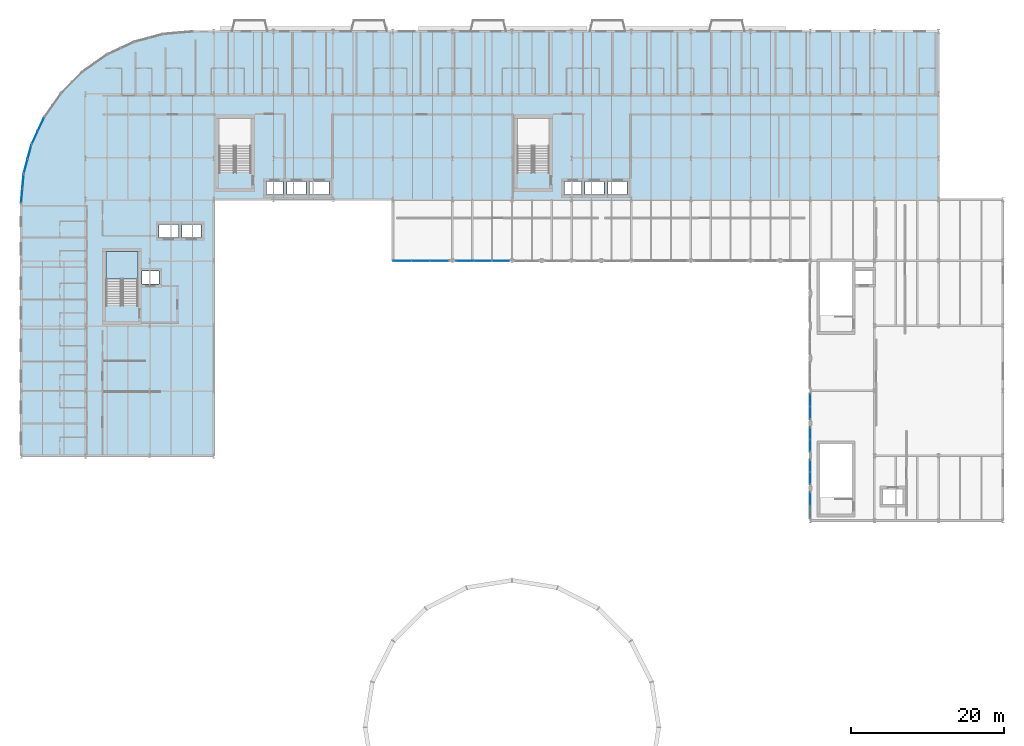
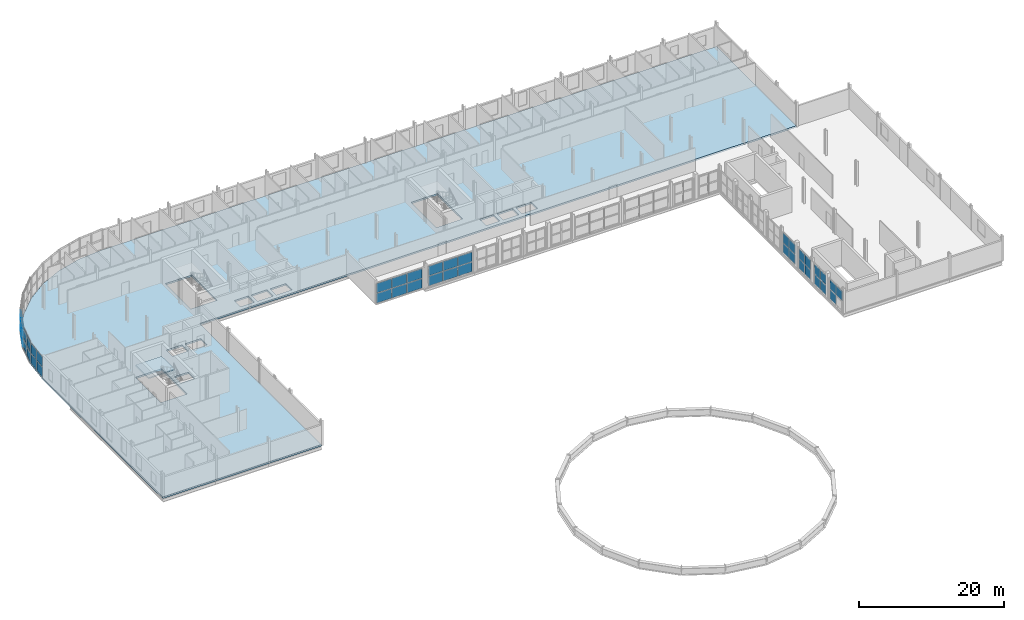
# One storey, part 22 of 45: 39 plates, 2 slabs, 10 elements without a shape of their own.
"""IFC4 building model written with IfcOpenShell, lengths in metres."""

from ifc_helpers import new_model, si_unit, direction, frame, origin, origin_2d, place, context, subcontext, project, spatial, polyline, rectangle, outline, extrude, material, layer, layer_set, type_object, element, aggregate, save


model = new_model("IFC4")

# Units and contexts
model_context = context("Model", 3, precision=1e-05, world=origin(), true_north=direction((0.0, 1.0)))
body_context = subcontext(model_context, "Body", "Model", "MODEL_VIEW")
ifc_project = project(units=[si_unit("LENGTHUNIT", "METRE"), si_unit("AREAUNIT", "SQUARE_METRE"), si_unit("VOLUMEUNIT", "CUBIC_METRE"), si_unit("PLANEANGLEUNIT", "RADIAN"), si_unit("MASSUNIT", "GRAM", prefix="KILO")], contexts=[model_context])

# Site, building, storey
site_placement = place(None, origin())
site = spatial("IfcSite", under=ifc_project, at=site_placement, CompositionType="ELEMENT")
building_placement = place(site_placement, origin())
building = spatial("IfcBuilding", under=site, at=building_placement, Name="Sefraquen Railside Congress Hotel", CompositionType="ELEMENT")
storey_placement = place(building_placement, frame((0.0, 0.0, 20.39990234375)))
storey = spatial("IfcBuildingStorey", under=building, at=storey_placement, Name="L04", CompositionType="ELEMENT", Elevation=20.39990234375)

# Curtain wall, plates
ifc_material_1 = material(Name="Thermally broken anodised aluminium and low-E double glazing", Category="aluminium")
ifc_layer_1 = layer(ifc_material_1, 0.199951171875)
ifc_layer_set_1 = layer_set([ifc_layer_1], Name="Thermally broken anodised aluminium and low-E double glazing")
curtain_wall_type_1 = type_object("IfcCurtainWallType", Name="TCW-UCW-05", PredefinedType="USERDEFINED", material=ifc_layer_set_1)
curtain_wall_1_placement = place(storey_placement, origin())
curtain_wall_1 = element("IfcCurtainWall", 1, at=curtain_wall_1_placement, inside=storey, type_object=curtain_wall_type_1, Name="Meeting Wing L04 courtyard north curtain wall 1", ObjectType="UNITISED CURTAIN WALL", PredefinedType="USERDEFINED")
ifc_material_2 = material(Name="Solar-control low-E double glazing", Category="glass")
ifc_layer_2 = layer(ifc_material_2, 0.02392578125)
ifc_layer_set_2 = layer_set([ifc_layer_2], Name="Solar-control low-E double glazing")
plate_type_1 = type_object("IfcPlateType", Name="TP-CWP-01", PredefinedType="CURTAIN_PANEL", material=ifc_layer_set_2)
plate_1_placement = place(storey_placement, frame((49.853271484375, 88.0, 0.0400390625), z_axis=(0.0, 0.0, 1.0), x_axis=(1.0, 0.0, 0.0)))
plate_1 = element("IfcPlate", 2, at=plate_1_placement, type_object=plate_type_1, Name="CW-L04-069 panel 1.1", PredefinedType="CURTAIN_PANEL", context=body_context, shape_type="SweptSolid", body=[
    extrude(rectangle(XDim=2.336669921875, YDim=0.02392578125, at=origin_2d()), origin(), (0.0, 0.0, 1.0), 1.614990234375),
])
plate_2_placement = place(storey_placement, frame((52.280029296875, 88.0, 0.0400390625), z_axis=(0.0, 0.0, 1.0), x_axis=(1.0, 0.0, 0.0)))
plate_2 = element("IfcPlate", 3, at=plate_2_placement, type_object=plate_type_1, Name="CW-L04-069 panel 1.2", PredefinedType="CURTAIN_PANEL", context=body_context, shape_type="SweptSolid", body=[
    extrude(rectangle(XDim=2.336669921875, YDim=0.02392578125, at=origin_2d()), origin(), (0.0, 0.0, 1.0), 1.614990234375),
])
plate_3_placement = place(storey_placement, frame((54.706787109375, 88.0, 0.0400390625), z_axis=(0.0, 0.0, 1.0), x_axis=(1.0, 0.0, 0.0)))
plate_3 = element("IfcPlate", 4, at=plate_3_placement, type_object=plate_type_1, Name="CW-L04-069 panel 1.3", PredefinedType="CURTAIN_PANEL", context=body_context, shape_type="SweptSolid", body=[
    extrude(rectangle(XDim=2.336669921875, YDim=0.02392578125, at=origin_2d()), origin(), (0.0, 0.0, 1.0), 1.614990234375),
])

curtain_wall_2_placement = place(storey_placement, origin())
curtain_wall_2 = element("IfcCurtainWall", 5, at=curtain_wall_2_placement, inside=storey, type_object=curtain_wall_type_1, Name="Meeting Wing L04 courtyard north curtain wall 1 bay 2", ObjectType="UNITISED CURTAIN WALL", PredefinedType="USERDEFINED")
plate_4_placement = place(storey_placement, frame((58.04833984375, 88.0, 0.0400390625), z_axis=(0.0, 0.0, 1.0), x_axis=(1.0, 0.0, 0.0)))
plate_4 = element("IfcPlate", 6, at=plate_4_placement, type_object=plate_type_1, Name="CW-L04-069-S2 panel 1.1", PredefinedType="CURTAIN_PANEL", context=body_context, shape_type="SweptSolid", body=[
    extrude(rectangle(XDim=2.24658203125, YDim=0.02392578125, at=origin_2d()), origin(), (0.0, 0.0, 1.0), 1.614990234375),
])
plate_5_placement = place(storey_placement, frame((60.385009765625, 88.0, 0.0400390625), z_axis=(0.0, 0.0, 1.0), x_axis=(1.0, 0.0, 0.0)))
plate_5 = element("IfcPlate", 7, at=plate_5_placement, type_object=plate_type_1, Name="CW-L04-069-S2 panel 1.2", PredefinedType="CURTAIN_PANEL", context=body_context, shape_type="SweptSolid", body=[
    extrude(rectangle(XDim=2.24658203125, YDim=0.02392578125, at=origin_2d()), origin(), (0.0, 0.0, 1.0), 1.614990234375),
])
plate_6_placement = place(storey_placement, frame((62.7216796875, 88.0, 0.0400390625), z_axis=(0.0, 0.0, 1.0), x_axis=(1.0, 0.0, 0.0)))
plate_6 = element("IfcPlate", 8, at=plate_6_placement, type_object=plate_type_1, Name="CW-L04-069-S2 panel 1.3", PredefinedType="CURTAIN_PANEL", context=body_context, shape_type="SweptSolid", body=[
    extrude(rectangle(XDim=2.24658203125, YDim=0.02392578125, at=origin_2d()), origin(), (0.0, 0.0, 1.0), 1.614990234375),
])

# Curtain wall, plate
ifc_layer_3 = layer(ifc_material_1, 0.199951171875)
ifc_layer_set_3 = layer_set([ifc_layer_3], Name="Thermally broken anodised aluminium and low-E double glazing")
curtain_wall_type_2 = type_object("IfcCurtainWallType", Name="TCW-UCW-08", PredefinedType="USERDEFINED", material=ifc_layer_set_3)
curtain_wall_3_placement = place(storey_placement, origin())
curtain_wall_3 = element("IfcCurtainWall", 9, at=curtain_wall_3_placement, inside=storey, type_object=curtain_wall_type_2, Name="Meeting Wing L04 courtyard east curtain wall", ObjectType="UNITISED CURTAIN WALL", PredefinedType="USERDEFINED")
plate_7_placement = place(storey_placement, frame((103.199951171875, 56.905029296875, 0.0400390625), z_axis=(0.0, 0.0, 1.0), x_axis=(0.0, 1.0, 0.0)))
plate_7 = element("IfcPlate", 10, at=plate_7_placement, type_object=plate_type_1, Name="CW-L04-072 panel 1.2", PredefinedType="CURTAIN_PANEL", context=body_context, shape_type="SweptSolid", body=[
    extrude(rectangle(XDim=1.639892578125, YDim=0.02392578125, at=origin_2d()), origin(), (0.0, 0.0, 1.0), 1.614990234375),
])

# Curtain wall, plates
curtain_wall_4_placement = place(storey_placement, origin())
curtain_wall_4 = element("IfcCurtainWall", 11, at=curtain_wall_4_placement, inside=storey, type_object=curtain_wall_type_2, Name="Meeting Wing L04 courtyard east curtain wall bay 2", ObjectType="UNITISED CURTAIN WALL", PredefinedType="USERDEFINED")
plate_8_placement = place(storey_placement, frame((103.199951171875, 59.552490234375, 0.0400390625), z_axis=(0.0, 0.0, 1.0), x_axis=(0.0, 1.0, 0.0)))
plate_8 = element("IfcPlate", 12, at=plate_8_placement, type_object=plate_type_1, Name="CW-L04-072-S2 panel 1.1", PredefinedType="CURTAIN_PANEL", context=body_context, shape_type="SweptSolid", body=[
    extrude(rectangle(XDim=1.554931640625, YDim=0.02392578125, at=origin_2d()), origin(), (0.0, 0.0, 1.0), 1.614990234375),
])
plate_9_placement = place(storey_placement, frame((103.199951171875, 61.197509765625, 0.0400390625), z_axis=(0.0, 0.0, 1.0), x_axis=(0.0, 1.0, 0.0)))
plate_9 = element("IfcPlate", 13, at=plate_9_placement, type_object=plate_type_1, Name="CW-L04-072-S2 panel 1.2", PredefinedType="CURTAIN_PANEL", context=body_context, shape_type="SweptSolid", body=[
    extrude(rectangle(XDim=1.554931640625, YDim=0.02392578125, at=origin_2d()), origin(), (0.0, 0.0, 1.0), 1.614990234375),
])

curtain_wall_5_placement = place(storey_placement, origin())
curtain_wall_5 = element("IfcCurtainWall", 14, at=curtain_wall_5_placement, inside=storey, type_object=curtain_wall_type_2, Name="Meeting Wing L04 courtyard east curtain wall bay 3", ObjectType="UNITISED CURTAIN WALL", PredefinedType="USERDEFINED")
plate_10_placement = place(storey_placement, frame((103.199951171875, 63.802490234375, 0.0400390625), z_axis=(0.0, 0.0, 1.0), x_axis=(0.0, 1.0, 0.0)))
plate_10 = element("IfcPlate", 15, at=plate_10_placement, type_object=plate_type_1, Name="CW-L04-072-S3 panel 1.1", PredefinedType="CURTAIN_PANEL", context=body_context, shape_type="SweptSolid", body=[
    extrude(rectangle(XDim=1.554931640625, YDim=0.02392578125, at=origin_2d()), origin(), (0.0, 0.0, 1.0), 1.614990234375),
])
plate_11_placement = place(storey_placement, frame((103.199951171875, 65.447509765625, 0.0400390625), z_axis=(0.0, 0.0, 1.0), x_axis=(0.0, 1.0, 0.0)))
plate_11 = element("IfcPlate", 16, at=plate_11_placement, type_object=plate_type_1, Name="CW-L04-072-S3 panel 1.2", PredefinedType="CURTAIN_PANEL", context=body_context, shape_type="SweptSolid", body=[
    extrude(rectangle(XDim=1.554931640625, YDim=0.02392578125, at=origin_2d()), origin(), (0.0, 0.0, 1.0), 1.614990234375),
])

curtain_wall_6_placement = place(storey_placement, origin())
curtain_wall_6 = element("IfcCurtainWall", 17, at=curtain_wall_6_placement, inside=storey, type_object=curtain_wall_type_2, Name="Meeting Wing L04 courtyard east curtain wall bay 4", ObjectType="UNITISED CURTAIN WALL", PredefinedType="USERDEFINED")
plate_12_placement = place(storey_placement, frame((103.199951171875, 68.094970703125, 0.0400390625), z_axis=(0.0, 0.0, 1.0), x_axis=(0.0, 1.0, 0.0)))
plate_12 = element("IfcPlate", 18, at=plate_12_placement, type_object=plate_type_1, Name="CW-L04-072-S4 panel 1.1", PredefinedType="CURTAIN_PANEL", context=body_context, shape_type="SweptSolid", body=[
    extrude(rectangle(XDim=1.639892578125, YDim=0.02392578125, at=origin_2d()), origin(), (0.0, 0.0, 1.0), 1.614990234375),
])
plate_13_placement = place(storey_placement, frame((103.199951171875, 69.824951171875, 0.0400390625), z_axis=(0.0, 0.0, 1.0), x_axis=(0.0, 1.0, 0.0)))
plate_13 = element("IfcPlate", 19, at=plate_13_placement, type_object=plate_type_1, Name="CW-L04-072-S4 panel 1.2", PredefinedType="CURTAIN_PANEL", context=body_context, shape_type="SweptSolid", body=[
    extrude(rectangle(XDim=1.639892578125, YDim=0.02392578125, at=origin_2d()), origin(), (0.0, 0.0, 1.0), 1.614990234375),
])

ifc_layer_4 = layer(ifc_material_1, 0.199951171875)
ifc_layer_set_4 = layer_set([ifc_layer_4], Name="Thermally broken anodised aluminium and low-E double glazing")
curtain_wall_type_3 = type_object("IfcCurtainWallType", Name="TCW-UCW-11", PredefinedType="USERDEFINED", material=ifc_layer_set_4)
curtain_wall_7_placement = place(storey_placement, origin())
curtain_wall_7 = element("IfcCurtainWall", 20, at=curtain_wall_7_placement, inside=storey, type_object=curtain_wall_type_3, Name="Rotunda L04 curved curtain wall facet 7", ObjectType="UNITISED CURTAIN WALL", PredefinedType="USERDEFINED")
plate_14_placement = place(storey_placement, frame((2.591552734375, 105.84326171875, 0.0400390625), z_axis=(0.0, 0.0, 1.0), x_axis=(-0.422634079731, -0.906300410818, 0.0)))
plate_14 = element("IfcPlate", 21, at=plate_14_placement, type_object=plate_type_1, Name="CW-L04-ROT-07 panel 1.1", PredefinedType="CURTAIN_PANEL", context=body_context, shape_type="SweptSolid", body=[
    extrude(rectangle(XDim=1.830810546875, YDim=0.02392578125, at=origin_2d()), origin(), (0.0, 0.0, 1.0), 1.6650390625),
])
plate_15_placement = place(storey_placement, frame((1.77978515625, 104.102294921875, 0.0400390625), z_axis=(0.0, 0.0, 1.0), x_axis=(-0.422634079731, -0.906300410818, 0.0)))
plate_15 = element("IfcPlate", 22, at=plate_15_placement, type_object=plate_type_1, Name="CW-L04-ROT-07 panel 1.2", PredefinedType="CURTAIN_PANEL", context=body_context, shape_type="SweptSolid", body=[
    extrude(rectangle(XDim=1.830810546875, YDim=0.02392578125, at=origin_2d()), origin(), (0.0, 0.0, 1.0), 1.6650390625),
])

ifc_layer_5 = layer(ifc_material_1, 0.199951171875)
ifc_layer_set_5 = layer_set([ifc_layer_5], Name="Thermally broken anodised aluminium and low-E double glazing")
curtain_wall_type_4 = type_object("IfcCurtainWallType", Name="TCW-UCW-12", PredefinedType="USERDEFINED", material=ifc_layer_set_5)
curtain_wall_8_placement = place(storey_placement, origin())
curtain_wall_8 = element("IfcCurtainWall", 23, at=curtain_wall_8_placement, inside=storey, type_object=curtain_wall_type_4, Name="Rotunda L04 curved curtain wall facet 8", ObjectType="UNITISED CURTAIN WALL", PredefinedType="USERDEFINED")
plate_16_placement = place(storey_placement, frame((1.097900390625, 102.22900390625, 0.0400390625), z_axis=(0.0, 0.0, 1.0), x_axis=(-0.258785327773, -0.96593486019, 0.0)))
plate_16 = element("IfcPlate", 24, at=plate_16_placement, type_object=plate_type_1, Name="CW-L04-ROT-08 panel 1.1", PredefinedType="CURTAIN_PANEL", context=body_context, shape_type="SweptSolid", body=[
    extrude(rectangle(XDim=1.8310546875, YDim=0.02392578125, at=origin_2d()), origin(), (0.0, 0.0, 1.0), 1.6650390625),
])
plate_17_placement = place(storey_placement, frame((0.6005859375, 100.37353515625, 0.0400390625), z_axis=(0.0, 0.0, 1.0), x_axis=(-0.258785327773, -0.96593486019, 0.0)))
plate_17 = element("IfcPlate", 25, at=plate_17_placement, type_object=plate_type_1, Name="CW-L04-ROT-08 panel 1.2", PredefinedType="CURTAIN_PANEL", context=body_context, shape_type="SweptSolid", body=[
    extrude(rectangle(XDim=1.8310546875, YDim=0.02392578125, at=origin_2d()), origin(), (0.0, 0.0, 1.0), 1.6650390625),
])

ifc_layer_6 = layer(ifc_material_1, 0.199951171875)
ifc_layer_set_6 = layer_set([ifc_layer_6], Name="Thermally broken anodised aluminium and low-E double glazing")
curtain_wall_type_5 = type_object("IfcCurtainWallType", Name="TCW-UCW-13", PredefinedType="USERDEFINED", material=ifc_layer_set_6)
curtain_wall_9_placement = place(storey_placement, origin())
curtain_wall_9 = element("IfcCurtainWall", 26, at=curtain_wall_9_placement, inside=storey, type_object=curtain_wall_type_5, Name="Rotunda L04 curved curtain wall facet 9", ObjectType="UNITISED CURTAIN WALL", PredefinedType="USERDEFINED")
plate_18_placement = place(storey_placement, frame((0.254638671875, 98.410400390625, 0.0400390625), z_axis=(0.0, 0.0, 1.0), x_axis=(-0.087138355857, -0.996196219095, 0.0)))
plate_18 = element("IfcPlate", 27, at=plate_18_placement, type_object=plate_type_1, Name="CW-L04-ROT-09 panel 1.1", PredefinedType="CURTAIN_PANEL", context=body_context, shape_type="SweptSolid", body=[
    extrude(rectangle(XDim=1.8310546875, YDim=0.02392578125, at=origin_2d()), origin(), (0.0, 0.0, 1.0), 1.6650390625),
])
plate_19_placement = place(storey_placement, frame((0.087158203125, 96.49658203125, 0.0400390625), z_axis=(0.0, 0.0, 1.0), x_axis=(-0.087138355857, -0.996196219095, 0.0)))
plate_19 = element("IfcPlate", 28, at=plate_19_placement, type_object=plate_type_1, Name="CW-L04-ROT-09 panel 1.2", PredefinedType="CURTAIN_PANEL", context=body_context, shape_type="SweptSolid", body=[
    extrude(rectangle(XDim=1.8310546875, YDim=0.02392578125, at=origin_2d()), origin(), (0.0, 0.0, 1.0), 1.6650390625),
])

# Plate
ifc_material_3 = material(Name="Triple acoustic solar-control glazing", Category="glass")
ifc_layer_7 = layer(ifc_material_3, 0.031982421875)
ifc_layer_set_7 = layer_set([ifc_layer_7], Name="Triple acoustic solar-control glazing")
plate_type_2 = type_object("IfcPlateType", Name="TP-CWP-02", PredefinedType="CURTAIN_PANEL", material=ifc_layer_set_7)
plate_20_placement = place(storey_placement, frame((49.853271484375, 88.0, 1.73486328125), z_axis=(0.0, 0.0, 1.0), x_axis=(1.0, 0.0, 0.0)))
plate_20 = element("IfcPlate", 29, at=plate_20_placement, type_object=plate_type_2, Name="CW-L04-069 panel 2.1", PredefinedType="CURTAIN_PANEL", context=body_context, shape_type="SweptSolid", body=[
    extrude(rectangle(XDim=2.336669921875, YDim=0.031982421875, at=origin_2d()), origin(), (0.0, 0.0, 1.0), 1.614990234375),
])

plate_21_placement = place(storey_placement, frame((52.280029296875, 88.0, 1.73486328125), z_axis=(0.0, 0.0, 1.0), x_axis=(1.0, 0.0, 0.0)))
plate_21 = element("IfcPlate", 30, at=plate_21_placement, type_object=plate_type_2, Name="CW-L04-069 panel 2.2", PredefinedType="CURTAIN_PANEL", context=body_context, shape_type="SweptSolid", body=[
    extrude(rectangle(XDim=2.336669921875, YDim=0.031982421875, at=origin_2d()), origin(), (0.0, 0.0, 1.0), 1.614990234375),
])

plate_22_placement = place(storey_placement, frame((54.706787109375, 88.0, 1.73486328125), z_axis=(0.0, 0.0, 1.0), x_axis=(1.0, 0.0, 0.0)))
plate_22 = element("IfcPlate", 31, at=plate_22_placement, type_object=plate_type_2, Name="CW-L04-069 panel 2.3", PredefinedType="CURTAIN_PANEL", context=body_context, shape_type="SweptSolid", body=[
    extrude(rectangle(XDim=2.336669921875, YDim=0.031982421875, at=origin_2d()), origin(), (0.0, 0.0, 1.0), 1.614990234375),
])

aggregate(curtain_wall_1, [plate_1, plate_2, plate_3, plate_20, plate_21, plate_22])

plate_23_placement = place(storey_placement, frame((58.04833984375, 88.0, 1.73486328125), z_axis=(0.0, 0.0, 1.0), x_axis=(1.0, 0.0, 0.0)))
plate_23 = element("IfcPlate", 32, at=plate_23_placement, type_object=plate_type_2, Name="CW-L04-069-S2 panel 2.1", PredefinedType="CURTAIN_PANEL", context=body_context, shape_type="SweptSolid", body=[
    extrude(rectangle(XDim=2.24658203125, YDim=0.031982421875, at=origin_2d()), origin(), (0.0, 0.0, 1.0), 1.614990234375),
])

plate_24_placement = place(storey_placement, frame((60.385009765625, 88.0, 1.73486328125), z_axis=(0.0, 0.0, 1.0), x_axis=(1.0, 0.0, 0.0)))
plate_24 = element("IfcPlate", 33, at=plate_24_placement, type_object=plate_type_2, Name="CW-L04-069-S2 panel 2.2", PredefinedType="CURTAIN_PANEL", context=body_context, shape_type="SweptSolid", body=[
    extrude(rectangle(XDim=2.24658203125, YDim=0.031982421875, at=origin_2d()), origin(), (0.0, 0.0, 1.0), 1.614990234375),
])

plate_25_placement = place(storey_placement, frame((62.7216796875, 88.0, 1.73486328125), z_axis=(0.0, 0.0, 1.0), x_axis=(1.0, 0.0, 0.0)))
plate_25 = element("IfcPlate", 34, at=plate_25_placement, type_object=plate_type_2, Name="CW-L04-069-S2 panel 2.3", PredefinedType="CURTAIN_PANEL", context=body_context, shape_type="SweptSolid", body=[
    extrude(rectangle(XDim=2.24658203125, YDim=0.031982421875, at=origin_2d()), origin(), (0.0, 0.0, 1.0), 1.614990234375),
])

aggregate(curtain_wall_2, [plate_4, plate_5, plate_6, plate_23, plate_24, plate_25])

plate_26_placement = place(storey_placement, frame((103.199951171875, 55.175048828125, 1.73486328125), z_axis=(0.0, 0.0, 1.0), x_axis=(0.0, 1.0, 0.0)))
plate_26 = element("IfcPlate", 35, at=plate_26_placement, type_object=plate_type_2, Name="CW-L04-072 panel 2.1", PredefinedType="CURTAIN_PANEL", context=body_context, shape_type="SweptSolid", body=[
    extrude(rectangle(XDim=1.639892578125, YDim=0.031982421875, at=origin_2d()), origin(), (0.0, 0.0, 1.0), 1.614990234375),
])

plate_27_placement = place(storey_placement, frame((103.199951171875, 56.905029296875, 1.73486328125), z_axis=(0.0, 0.0, 1.0), x_axis=(0.0, 1.0, 0.0)))
plate_27 = element("IfcPlate", 36, at=plate_27_placement, type_object=plate_type_2, Name="CW-L04-072 panel 2.2", PredefinedType="CURTAIN_PANEL", context=body_context, shape_type="SweptSolid", body=[
    extrude(rectangle(XDim=1.639892578125, YDim=0.031982421875, at=origin_2d()), origin(), (0.0, 0.0, 1.0), 1.614990234375),
])

aggregate(curtain_wall_3, [plate_7, plate_26, plate_27])

plate_28_placement = place(storey_placement, frame((103.199951171875, 59.552490234375, 1.73486328125), z_axis=(0.0, 0.0, 1.0), x_axis=(0.0, 1.0, 0.0)))
plate_28 = element("IfcPlate", 37, at=plate_28_placement, type_object=plate_type_2, Name="CW-L04-072-S2 panel 2.1", PredefinedType="CURTAIN_PANEL", context=body_context, shape_type="SweptSolid", body=[
    extrude(rectangle(XDim=1.554931640625, YDim=0.031982421875, at=origin_2d()), origin(), (0.0, 0.0, 1.0), 1.614990234375),
])

plate_29_placement = place(storey_placement, frame((103.199951171875, 61.197509765625, 1.73486328125), z_axis=(0.0, 0.0, 1.0), x_axis=(0.0, 1.0, 0.0)))
plate_29 = element("IfcPlate", 38, at=plate_29_placement, type_object=plate_type_2, Name="CW-L04-072-S2 panel 2.2", PredefinedType="CURTAIN_PANEL", context=body_context, shape_type="SweptSolid", body=[
    extrude(rectangle(XDim=1.554931640625, YDim=0.031982421875, at=origin_2d()), origin(), (0.0, 0.0, 1.0), 1.614990234375),
])

aggregate(curtain_wall_4, [plate_8, plate_9, plate_28, plate_29])

plate_30_placement = place(storey_placement, frame((103.199951171875, 63.802490234375, 1.73486328125), z_axis=(0.0, 0.0, 1.0), x_axis=(0.0, 1.0, 0.0)))
plate_30 = element("IfcPlate", 39, at=plate_30_placement, type_object=plate_type_2, Name="CW-L04-072-S3 panel 2.1", PredefinedType="CURTAIN_PANEL", context=body_context, shape_type="SweptSolid", body=[
    extrude(rectangle(XDim=1.554931640625, YDim=0.031982421875, at=origin_2d()), origin(), (0.0, 0.0, 1.0), 1.614990234375),
])

plate_31_placement = place(storey_placement, frame((103.199951171875, 65.447509765625, 1.73486328125), z_axis=(0.0, 0.0, 1.0), x_axis=(0.0, 1.0, 0.0)))
plate_31 = element("IfcPlate", 40, at=plate_31_placement, type_object=plate_type_2, Name="CW-L04-072-S3 panel 2.2", PredefinedType="CURTAIN_PANEL", context=body_context, shape_type="SweptSolid", body=[
    extrude(rectangle(XDim=1.554931640625, YDim=0.031982421875, at=origin_2d()), origin(), (0.0, 0.0, 1.0), 1.614990234375),
])

aggregate(curtain_wall_5, [plate_10, plate_11, plate_30, plate_31])

plate_32_placement = place(storey_placement, frame((103.199951171875, 68.094970703125, 1.73486328125), z_axis=(0.0, 0.0, 1.0), x_axis=(0.0, 1.0, 0.0)))
plate_32 = element("IfcPlate", 41, at=plate_32_placement, type_object=plate_type_2, Name="CW-L04-072-S4 panel 2.1", PredefinedType="CURTAIN_PANEL", context=body_context, shape_type="SweptSolid", body=[
    extrude(rectangle(XDim=1.639892578125, YDim=0.031982421875, at=origin_2d()), origin(), (0.0, 0.0, 1.0), 1.614990234375),
])

plate_33_placement = place(storey_placement, frame((103.199951171875, 69.824951171875, 1.73486328125), z_axis=(0.0, 0.0, 1.0), x_axis=(0.0, 1.0, 0.0)))
plate_33 = element("IfcPlate", 42, at=plate_33_placement, type_object=plate_type_2, Name="CW-L04-072-S4 panel 2.2", PredefinedType="CURTAIN_PANEL", context=body_context, shape_type="SweptSolid", body=[
    extrude(rectangle(XDim=1.639892578125, YDim=0.031982421875, at=origin_2d()), origin(), (0.0, 0.0, 1.0), 1.614990234375),
])

aggregate(curtain_wall_6, [plate_12, plate_13, plate_32, plate_33])

plate_34_placement = place(storey_placement, frame((2.591552734375, 105.84326171875, 1.78515625), z_axis=(0.0, 0.0, 1.0), x_axis=(-0.422634079731, -0.906300410818, 0.0)))
plate_34 = element("IfcPlate", 43, at=plate_34_placement, type_object=plate_type_2, Name="CW-L04-ROT-07 panel 2.1", PredefinedType="CURTAIN_PANEL", context=body_context, shape_type="SweptSolid", body=[
    extrude(rectangle(XDim=1.830810546875, YDim=0.031982421875, at=origin_2d()), origin(), (0.0, 0.0, 1.0), 1.6650390625),
])

plate_35_placement = place(storey_placement, frame((1.77978515625, 104.102294921875, 1.78515625), z_axis=(0.0, 0.0, 1.0), x_axis=(-0.422634079731, -0.906300410818, 0.0)))
plate_35 = element("IfcPlate", 44, at=plate_35_placement, type_object=plate_type_2, Name="CW-L04-ROT-07 panel 2.2", PredefinedType="CURTAIN_PANEL", context=body_context, shape_type="SweptSolid", body=[
    extrude(rectangle(XDim=1.830810546875, YDim=0.031982421875, at=origin_2d()), origin(), (0.0, 0.0, 1.0), 1.6650390625),
])

aggregate(curtain_wall_7, [plate_14, plate_15, plate_34, plate_35])

plate_36_placement = place(storey_placement, frame((1.097900390625, 102.22900390625, 1.78515625), z_axis=(0.0, 0.0, 1.0), x_axis=(-0.258785327773, -0.96593486019, 0.0)))
plate_36 = element("IfcPlate", 45, at=plate_36_placement, type_object=plate_type_2, Name="CW-L04-ROT-08 panel 2.1", PredefinedType="CURTAIN_PANEL", context=body_context, shape_type="SweptSolid", body=[
    extrude(rectangle(XDim=1.8310546875, YDim=0.031982421875, at=origin_2d()), origin(), (0.0, 0.0, 1.0), 1.6650390625),
])

plate_37_placement = place(storey_placement, frame((0.6005859375, 100.37353515625, 1.78515625), z_axis=(0.0, 0.0, 1.0), x_axis=(-0.258785327773, -0.96593486019, 0.0)))
plate_37 = element("IfcPlate", 46, at=plate_37_placement, type_object=plate_type_2, Name="CW-L04-ROT-08 panel 2.2", PredefinedType="CURTAIN_PANEL", context=body_context, shape_type="SweptSolid", body=[
    extrude(rectangle(XDim=1.8310546875, YDim=0.031982421875, at=origin_2d()), origin(), (0.0, 0.0, 1.0), 1.6650390625),
])

aggregate(curtain_wall_8, [plate_16, plate_17, plate_36, plate_37])

plate_38_placement = place(storey_placement, frame((0.254638671875, 98.410400390625, 1.78515625), z_axis=(0.0, 0.0, 1.0), x_axis=(-0.087138355857, -0.996196219095, 0.0)))
plate_38 = element("IfcPlate", 47, at=plate_38_placement, type_object=plate_type_2, Name="CW-L04-ROT-09 panel 2.1", PredefinedType="CURTAIN_PANEL", context=body_context, shape_type="SweptSolid", body=[
    extrude(rectangle(XDim=1.8310546875, YDim=0.031982421875, at=origin_2d()), origin(), (0.0, 0.0, 1.0), 1.6650390625),
])

plate_39_placement = place(storey_placement, frame((0.087158203125, 96.49658203125, 1.78515625), z_axis=(0.0, 0.0, 1.0), x_axis=(-0.087138355857, -0.996196219095, 0.0)))
plate_39 = element("IfcPlate", 48, at=plate_39_placement, type_object=plate_type_2, Name="CW-L04-ROT-09 panel 2.2", PredefinedType="CURTAIN_PANEL", context=body_context, shape_type="SweptSolid", body=[
    extrude(rectangle(XDim=1.8310546875, YDim=0.031982421875, at=origin_2d()), origin(), (0.0, 0.0, 1.0), 1.6650390625),
])

aggregate(curtain_wall_9, [plate_18, plate_19, plate_38, plate_39])

# Slab
ifc_material_4 = material(Name="Concrete C40/50", Category="concrete")
ifc_layer_8 = layer(ifc_material_4, 0.280029296875)
ifc_layer_set_8 = layer_set([ifc_layer_8], Name="Concrete C40/50")
slab_type_1 = type_object("IfcSlabType", Name="TS-FS-280", PredefinedType="FLOOR", material=ifc_layer_set_8)
slab_1_placement = place(storey_placement, frame((0.0, 0.0, -0.27978515625)))
element("IfcSlab", 49, at=slab_1_placement, inside=storey, type_object=slab_type_1, Name="Hotel Wing L04 guest floor slab", PredefinedType="FLOOR", context=body_context, shape_type="SweptSolid", body=[
    extrude(outline(polyline([(0.0, 62.5), (25.199951171875, 62.5), (25.199951171875, 96.0), (120.0, 96.0), (120.0, 118.0), (22.5, 118.0), (18.593017578125, 117.658203125), (14.804443359375, 116.64306640625), (11.25, 114.985595703125), (8.037353515625, 112.736083984375), (5.263916015625, 109.962646484375), (3.014404296875, 106.75), (1.35693359375, 103.195556640625), (0.341796875, 99.406982421875), (0.0, 95.5), (0.0, 62.5)]), holes=[polyline([(11.10009765625, 82.219970703125), (15.260009765625, 82.219970703125), (15.260009765625, 89.2119140625), (11.10009765625, 89.2119140625), (11.10009765625, 82.219970703125)]), polyline([(25.89990234375, 99.6201171875), (30.06005859375, 99.6201171875), (30.06005859375, 106.612060546875), (25.89990234375, 106.612060546875), (25.89990234375, 99.6201171875)]), polyline([(64.89990234375, 99.6201171875), (69.06005859375, 99.6201171875), (69.06005859375, 106.612060546875), (64.89990234375, 106.612060546875), (64.89990234375, 99.6201171875)]), polyline([(15.830078125, 84.949951171875), (18.030029296875, 84.949951171875), (18.030029296875, 86.64990234375), (15.830078125, 86.64990234375), (15.830078125, 84.949951171875)]), polyline([(32.06005859375, 96.64990234375), (34.260009765625, 96.64990234375), (34.260009765625, 98.35009765625), (32.06005859375, 98.35009765625), (32.06005859375, 96.64990234375)]), polyline([(71.06005859375, 96.64990234375), (73.260009765625, 96.64990234375), (73.260009765625, 98.35009765625), (71.06005859375, 98.35009765625), (71.06005859375, 96.64990234375)]), polyline([(18.050048828125, 91.050048828125), (20.550048828125, 91.050048828125), (20.550048828125, 92.75), (18.050048828125, 92.75), (18.050048828125, 91.050048828125)]), polyline([(21.0400390625, 91.050048828125), (23.5400390625, 91.050048828125), (23.5400390625, 92.75), (21.0400390625, 92.75), (21.0400390625, 91.050048828125)]), polyline([(34.75, 96.64990234375), (37.25, 96.64990234375), (37.25, 98.35009765625), (34.75, 98.35009765625), (34.75, 96.64990234375)]), polyline([(37.739990234375, 96.64990234375), (40.239990234375, 96.64990234375), (40.239990234375, 98.35009765625), (37.739990234375, 98.35009765625), (37.739990234375, 96.64990234375)]), polyline([(73.75, 96.64990234375), (76.25, 96.64990234375), (76.25, 98.35009765625), (73.75, 98.35009765625), (73.75, 96.64990234375)]), polyline([(76.739990234375, 96.64990234375), (79.239990234375, 96.64990234375), (79.239990234375, 98.35009765625), (76.739990234375, 98.35009765625), (76.739990234375, 96.64990234375)])]), origin(), (0.0, 0.0, 1.0), 0.27978515625),
])

# Stair, slab
stair_type = type_object("IfcStairType", Name="TST-DOG-198-360", PredefinedType="HALF_TURN_STAIR", material=ifc_material_4)
stair_placement = place(storey_placement, origin())
stair = element("IfcStair", 50, at=stair_placement, inside=storey, type_object=stair_type, Name="L04 Pressurized escape stair ST-H01", PredefinedType="HALF_TURN_STAIR")
ifc_layer_9 = layer(ifc_material_4, 0.199951171875)
ifc_layer_set_9 = layer_set([ifc_layer_9], Name="Concrete C40/50")
slab_type_2 = type_object("IfcSlabType", Name="TS-LD-200", PredefinedType="LANDING", material=ifc_layer_set_9)
slab_2_placement = place(storey_placement, frame((0.0, 0.0, 1.900146484375)))
slab_2 = element("IfcSlab", 51, at=slab_2_placement, type_object=slab_type_2, Name="ST-H01 landing 1", PredefinedType="LANDING", context=body_context, shape_type="SweptSolid", body=[
    extrude(outline(polyline([(15.260009765625, 85.6220703125), (15.260009765625, 89.2119140625), (11.10009765625, 89.2119140625), (11.10009765625, 85.6220703125), (15.260009765625, 85.6220703125)])), origin(), (0.0, 0.0, 1.0), 0.199951171875),
])
aggregate(stair, [slab_2])

save(model, "model.ifc")
